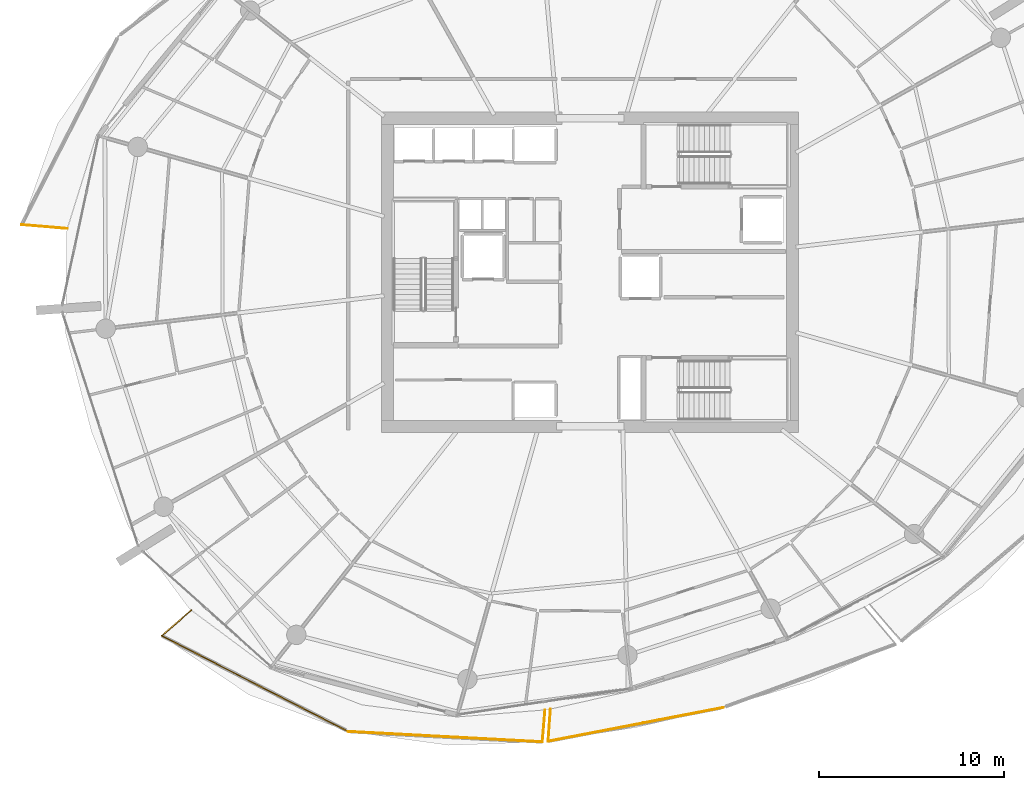
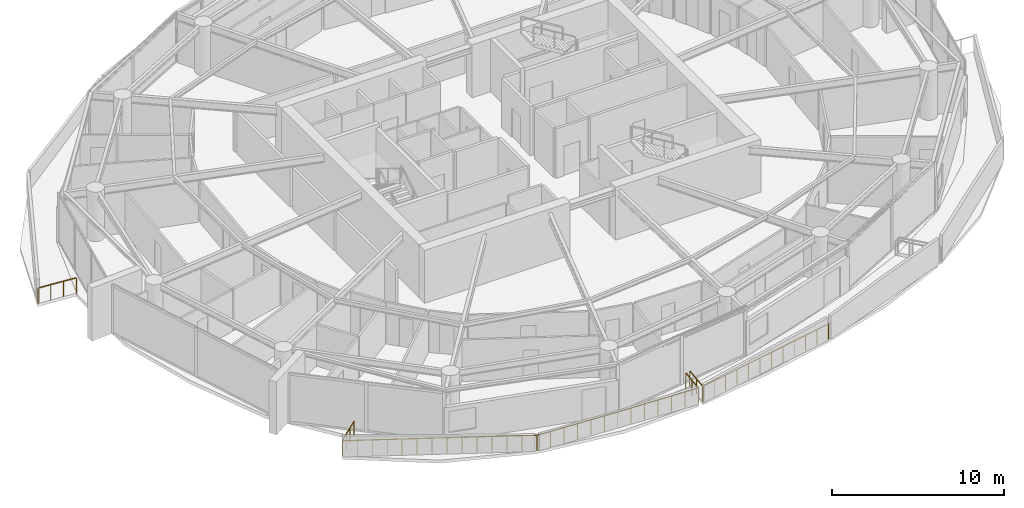
# One storey, part 17 of 21: 7 railings.
"""IFC4 building model written with IfcOpenShell, lengths in metres."""

from ifc_helpers import new_model, si_unit, direction, frame, origin, origin_2d, place, context, subcontext, project, spatial, rectangle, extrude, material, type_object, element, save


model = new_model("IFC4")

# Units and contexts
model_context = context("Model", 3, precision=1e-05, world=origin(), true_north=direction((0.0, 1.0)))
body_context = subcontext(model_context, "Body", "Model", "MODEL_VIEW")
ifc_project = project(units=[si_unit("LENGTHUNIT", "METRE"), si_unit("AREAUNIT", "SQUARE_METRE"), si_unit("VOLUMEUNIT", "CUBIC_METRE"), si_unit("PLANEANGLEUNIT", "RADIAN"), si_unit("MASSUNIT", "GRAM", prefix="KILO")], contexts=[model_context])

# Site, building, storey
site_placement = place(None, origin())
site = spatial("IfcSite", under=ifc_project, at=site_placement, CompositionType="ELEMENT")
building_placement = place(site_placement, origin())
building = spatial("IfcBuilding", under=site, at=building_placement, Name="Kazma Halo Residences", CompositionType="ELEMENT")
storey_placement = place(building_placement, frame((0.0, 0.0, 191.550048828125)))
storey = spatial("IfcBuildingStorey", under=building, at=storey_placement, Name="L48", CompositionType="ELEMENT", Elevation=191.550048828125)

# Railings
ifc_material = material(Name="Aluminium AW-6063 T6 Brushed Cap Rail", Category="aluminium")
railing_type = type_object("IfcRailingType", Name="RLG-BAL-CAP-1120", PredefinedType="BALUSTRADE", material=ifc_material)
railing_1_placement = place(storey_placement, frame((17.694580078125, 44.5712890625, 0.0)))
element("IfcRailing", 1, at=railing_1_placement, inside=storey, type_object=railing_type, Name="L48 NW wave balcony guard 4", PredefinedType="BALUSTRADE", context=body_context, shape_type="SweptSolid", body=[
    extrude(rectangle(XDim=0.050048828125, YDim=0.050048828125, at=origin_2d()), frame((0.04248046875, -0.003662109375, 1.09521484375), z_axis=(0.996426620015, -0.084462955935, 0.0), x_axis=(0.084462955935, 0.996426620015, 0.0)), (0.0, 0.0, 1.0), 2.39501953125),
    extrude(rectangle(XDim=0.0400390625, YDim=0.0400390625, at=origin_2d()), origin(), (0.0, 0.0, 1.0), 1.05810546875),
    extrude(rectangle(XDim=0.0400390625, YDim=0.0400390625, at=origin_2d()), frame((0.82373046875, -0.06982421875, 0.0)), (0.0, 0.0, 1.0), 1.05810546875),
    extrude(rectangle(XDim=0.0400390625, YDim=0.0400390625, at=origin_2d()), frame((1.6474609375, -0.1396484375, 0.0)), (0.0, 0.0, 1.0), 1.05810546875),
    extrude(rectangle(XDim=0.0400390625, YDim=0.0400390625, at=origin_2d()), frame((2.47119140625, -0.20947265625, 0.0)), (0.0, 0.0, 1.0), 1.05810546875),
])
railing_2_placement = place(storey_placement, frame((26.869873046875, 23.728759765625, 0.0)))
element("IfcRailing", 2, at=railing_2_placement, inside=storey, type_object=railing_type, Name="L48 SW wave balcony guard 1", PredefinedType="BALUSTRADE", context=body_context, shape_type="SweptSolid", body=[
    extrude(rectangle(XDim=0.050048828125, YDim=0.050048828125, at=origin_2d()), frame((-0.0322265625, -0.02783203125, 1.09521484375), z_axis=(-0.756463763216, -0.654035606783, 0.0), x_axis=(0.654035606783, -0.756463763216, 0.0)), (0.0, 0.0, 1.0), 2.0244140625),
    extrude(rectangle(XDim=0.0400390625, YDim=0.0400390625, at=origin_2d()), origin(), (0.0, 0.0, 1.0), 1.05810546875),
    extrude(rectangle(XDim=0.0400390625, YDim=0.0400390625, at=origin_2d()), frame((-0.531982421875, -0.4599609375, 0.0)), (0.0, 0.0, 1.0), 1.05810546875),
    extrude(rectangle(XDim=0.0400390625, YDim=0.0400390625, at=origin_2d()), frame((-1.063720703125, -0.919677734375, 0.0)), (0.0, 0.0, 1.0), 1.05810546875),
    extrude(rectangle(XDim=0.0400390625, YDim=0.0400390625, at=origin_2d()), frame((-1.595703125, -1.379638671875, 0.0)), (0.0, 0.0, 1.0), 1.05810546875),
])
railing_3_placement = place(storey_placement, frame((25.274169921875, 22.34912109375, 0.0)))
element("IfcRailing", 3, at=railing_3_placement, inside=storey, type_object=railing_type, Name="L48 SW wave balcony guard 2", PredefinedType="BALUSTRADE", context=body_context, shape_type="SweptSolid", body=[
    extrude(rectangle(XDim=0.050048828125, YDim=0.050048828125, at=origin_2d()), frame((0.037841796875, -0.01953125, 1.09521484375), z_axis=(0.889661682409, -0.456620291766, 0.0), x_axis=(0.456620291766, 0.889661682409, 0.0)), (0.0, 0.0, 1.0), 11.242431640625),
    extrude(rectangle(XDim=0.0400390625, YDim=0.0400390625, at=origin_2d()), origin(), (0.0, 0.0, 1.0), 1.05810546875),
    extrude(rectangle(XDim=0.0400390625, YDim=0.0400390625, at=origin_2d()), frame((0.775146484375, -0.39794921875, 0.0)), (0.0, 0.0, 1.0), 1.05810546875),
    extrude(rectangle(XDim=0.0400390625, YDim=0.0400390625, at=origin_2d()), frame((1.55029296875, -0.795654296875, 0.0)), (0.0, 0.0, 1.0), 1.05810546875),
    extrude(rectangle(XDim=0.0400390625, YDim=0.0400390625, at=origin_2d()), frame((2.32568359375, -1.193603515625, 0.0)), (0.0, 0.0, 1.0), 1.05810546875),
    extrude(rectangle(XDim=0.0400390625, YDim=0.0400390625, at=origin_2d()), frame((3.100830078125, -1.591552734375, 0.0)), (0.0, 0.0, 1.0), 1.05810546875),
    extrude(rectangle(XDim=0.0400390625, YDim=0.0400390625, at=origin_2d()), frame((3.8759765625, -1.9892578125, 0.0)), (0.0, 0.0, 1.0), 1.05810546875),
    extrude(rectangle(XDim=0.0400390625, YDim=0.0400390625, at=origin_2d()), frame((4.651123046875, -2.38720703125, 0.0)), (0.0, 0.0, 1.0), 1.05810546875),
    extrude(rectangle(XDim=0.0400390625, YDim=0.0400390625, at=origin_2d()), frame((5.426513671875, -2.78515625, 0.0)), (0.0, 0.0, 1.0), 1.05810546875),
    extrude(rectangle(XDim=0.0400390625, YDim=0.0400390625, at=origin_2d()), frame((6.20166015625, -3.18310546875, 0.0)), (0.0, 0.0, 1.0), 1.05810546875),
    extrude(rectangle(XDim=0.0400390625, YDim=0.0400390625, at=origin_2d()), frame((6.976806640625, -3.580810546875, 0.0)), (0.0, 0.0, 1.0), 1.05810546875),
    extrude(rectangle(XDim=0.0400390625, YDim=0.0400390625, at=origin_2d()), frame((7.751953125, -3.978759765625, 0.0)), (0.0, 0.0, 1.0), 1.05810546875),
    extrude(rectangle(XDim=0.0400390625, YDim=0.0400390625, at=origin_2d()), frame((8.52734375, -4.376708984375, 0.0)), (0.0, 0.0, 1.0), 1.05810546875),
    extrude(rectangle(XDim=0.0400390625, YDim=0.0400390625, at=origin_2d()), frame((9.302490234375, -4.7744140625, 0.0)), (0.0, 0.0, 1.0), 1.05810546875),
    extrude(rectangle(XDim=0.0400390625, YDim=0.0400390625, at=origin_2d()), frame((10.07763671875, -5.17236328125, 0.0)), (0.0, 0.0, 1.0), 1.05810546875),
])
railing_4_placement = place(storey_placement, frame((35.351806640625, 17.1767578125, 0.0)))
element("IfcRailing", 4, at=railing_4_placement, inside=storey, type_object=railing_type, Name="L48 SW wave balcony guard 3", PredefinedType="BALUSTRADE", context=body_context, shape_type="SweptSolid", body=[
    extrude(rectangle(XDim=0.050048828125, YDim=0.050048828125, at=origin_2d()), frame((0.04248046875, -0.002197265625, 1.09521484375), z_axis=(0.998572804147, -0.05340744159, 0.0), x_axis=(0.05340744159, 0.998572804147, 0.0)), (0.0, 0.0, 1.0), 10.42431640625),
    extrude(rectangle(XDim=0.0400390625, YDim=0.0400390625, at=origin_2d()), origin(), (0.0, 0.0, 1.0), 1.05810546875),
    extrude(rectangle(XDim=0.0400390625, YDim=0.0400390625, at=origin_2d()), frame((0.87451171875, -0.046875, 0.0)), (0.0, 0.0, 1.0), 1.05810546875),
    extrude(rectangle(XDim=0.0400390625, YDim=0.0400390625, at=origin_2d()), frame((1.7490234375, -0.093505859375, 0.0)), (0.0, 0.0, 1.0), 1.05810546875),
    extrude(rectangle(XDim=0.0400390625, YDim=0.0400390625, at=origin_2d()), frame((2.62353515625, -0.140380859375, 0.0)), (0.0, 0.0, 1.0), 1.05810546875),
    extrude(rectangle(XDim=0.0400390625, YDim=0.0400390625, at=origin_2d()), frame((3.498046875, -0.18701171875, 0.0)), (0.0, 0.0, 1.0), 1.05810546875),
    extrude(rectangle(XDim=0.0400390625, YDim=0.0400390625, at=origin_2d()), frame((4.37255859375, -0.23388671875, 0.0)), (0.0, 0.0, 1.0), 1.05810546875),
    extrude(rectangle(XDim=0.0400390625, YDim=0.0400390625, at=origin_2d()), frame((5.2470703125, -0.28076171875, 0.0)), (0.0, 0.0, 1.0), 1.05810546875),
    extrude(rectangle(XDim=0.0400390625, YDim=0.0400390625, at=origin_2d()), frame((6.121826171875, -0.327392578125, 0.0)), (0.0, 0.0, 1.0), 1.05810546875),
    extrude(rectangle(XDim=0.0400390625, YDim=0.0400390625, at=origin_2d()), frame((6.996337890625, -0.374267578125, 0.0)), (0.0, 0.0, 1.0), 1.05810546875),
    extrude(rectangle(XDim=0.0400390625, YDim=0.0400390625, at=origin_2d()), frame((7.870849609375, -0.4208984375, 0.0)), (0.0, 0.0, 1.0), 1.05810546875),
    extrude(rectangle(XDim=0.0400390625, YDim=0.0400390625, at=origin_2d()), frame((8.745361328125, -0.4677734375, 0.0)), (0.0, 0.0, 1.0), 1.05810546875),
    extrude(rectangle(XDim=0.0400390625, YDim=0.0400390625, at=origin_2d()), frame((9.619873046875, -0.514404296875, 0.0)), (0.0, 0.0, 1.0), 1.05810546875),
    extrude(rectangle(XDim=0.0400390625, YDim=0.0400390625, at=origin_2d()), frame((10.494384765625, -0.561279296875, 0.0)), (0.0, 0.0, 1.0), 1.05810546875),
])
railing_5_placement = place(storey_placement, frame((45.84619140625, 16.615478515625, 0.0)))
element("IfcRailing", 5, at=railing_5_placement, inside=storey, type_object=railing_type, Name="L48 SW wave balcony guard 4", PredefinedType="BALUSTRADE", context=body_context, shape_type="SweptSolid", body=[
    extrude(rectangle(XDim=0.050048828125, YDim=0.050048828125, at=origin_2d()), frame((0.003662109375, 0.04248046875, 1.09521484375), z_axis=(0.084582809101, 0.996416453299, 0.0), x_axis=(-0.996416453299, 0.084582809101, 0.0)), (0.0, 0.0, 1.0), 1.649658203125),
    extrude(rectangle(XDim=0.0400390625, YDim=0.0400390625, at=origin_2d()), origin(), (0.0, 0.0, 1.0), 1.05810546875),
    extrude(rectangle(XDim=0.0400390625, YDim=0.0400390625, at=origin_2d()), frame((0.0732421875, 0.8642578125, 0.0)), (0.0, 0.0, 1.0), 1.05810546875),
    extrude(rectangle(XDim=0.0400390625, YDim=0.0400390625, at=origin_2d()), frame((0.146728515625, 1.728515625, 0.0)), (0.0, 0.0, 1.0), 1.05810546875),
])
railing_6_placement = place(storey_placement, frame((46.286865234375, 18.387939453125, 0.0)))
element("IfcRailing", 6, at=railing_6_placement, inside=storey, type_object=railing_type, Name="L48 SSE wave balcony guard 1", PredefinedType="BALUSTRADE", context=body_context, shape_type="SweptSolid", body=[
    extrude(rectangle(XDim=0.050048828125, YDim=0.050048828125, at=origin_2d()), frame((-0.003173828125, -0.04248046875, 1.09521484375), z_axis=(-0.072381236499, -0.997377038337, 0.0), x_axis=(0.997377038337, -0.072381236499, 0.0)), (0.0, 0.0, 1.0), 1.65869140625),
    extrude(rectangle(XDim=0.0400390625, YDim=0.0400390625, at=origin_2d()), origin(), (0.0, 0.0, 1.0), 1.05810546875),
    extrude(rectangle(XDim=0.0400390625, YDim=0.0400390625, at=origin_2d()), frame((-0.06298828125, -0.86962890625, 0.0)), (0.0, 0.0, 1.0), 1.05810546875),
    extrude(rectangle(XDim=0.0400390625, YDim=0.0400390625, at=origin_2d()), frame((-0.126220703125, -1.7392578125, 0.0)), (0.0, 0.0, 1.0), 1.05810546875),
])
railing_7_placement = place(storey_placement, frame((46.16064453125, 16.648681640625, 0.0)))
element("IfcRailing", 7, at=railing_7_placement, inside=storey, type_object=railing_type, Name="L48 SSE wave balcony guard 2", PredefinedType="BALUSTRADE", context=body_context, shape_type="SweptSolid", body=[
    extrude(rectangle(XDim=0.050048828125, YDim=0.050048828125, at=origin_2d()), frame((0.041748046875, 0.008056640625, 1.09521484375), z_axis=(0.981918343352, 0.189304957647, 0.0), x_axis=(-0.189304957647, 0.981918343352, 0.0)), (0.0, 0.0, 1.0), 9.572021484375),
    extrude(rectangle(XDim=0.0400390625, YDim=0.0400390625, at=origin_2d()), origin(), (0.0, 0.0, 1.0), 1.05810546875),
    extrude(rectangle(XDim=0.0400390625, YDim=0.0400390625, at=origin_2d()), frame((0.862060546875, 0.166259765625, 0.0)), (0.0, 0.0, 1.0), 1.05810546875),
    extrude(rectangle(XDim=0.0400390625, YDim=0.0400390625, at=origin_2d()), frame((1.72412109375, 0.332275390625, 0.0)), (0.0, 0.0, 1.0), 1.05810546875),
    extrude(rectangle(XDim=0.0400390625, YDim=0.0400390625, at=origin_2d()), frame((2.586181640625, 0.49853515625, 0.0)), (0.0, 0.0, 1.0), 1.05810546875),
    extrude(rectangle(XDim=0.0400390625, YDim=0.0400390625, at=origin_2d()), frame((3.4482421875, 0.664794921875, 0.0)), (0.0, 0.0, 1.0), 1.05810546875),
    extrude(rectangle(XDim=0.0400390625, YDim=0.0400390625, at=origin_2d()), frame((4.310302734375, 0.8310546875, 0.0)), (0.0, 0.0, 1.0), 1.05810546875),
    extrude(rectangle(XDim=0.0400390625, YDim=0.0400390625, at=origin_2d()), frame((5.172119140625, 0.9970703125, 0.0)), (0.0, 0.0, 1.0), 1.05810546875),
    extrude(rectangle(XDim=0.0400390625, YDim=0.0400390625, at=origin_2d()), frame((6.0341796875, 1.163330078125, 0.0)), (0.0, 0.0, 1.0), 1.05810546875),
    extrude(rectangle(XDim=0.0400390625, YDim=0.0400390625, at=origin_2d()), frame((6.896240234375, 1.32958984375, 0.0)), (0.0, 0.0, 1.0), 1.05810546875),
    extrude(rectangle(XDim=0.0400390625, YDim=0.0400390625, at=origin_2d()), frame((7.75830078125, 1.495849609375, 0.0)), (0.0, 0.0, 1.0), 1.05810546875),
    extrude(rectangle(XDim=0.0400390625, YDim=0.0400390625, at=origin_2d()), frame((8.620361328125, 1.661865234375, 0.0)), (0.0, 0.0, 1.0), 1.05810546875),
    extrude(rectangle(XDim=0.0400390625, YDim=0.0400390625, at=origin_2d()), frame((9.482421875, 1.828125, 0.0)), (0.0, 0.0, 1.0), 1.05810546875),
])

save(model, "model.ifc")
